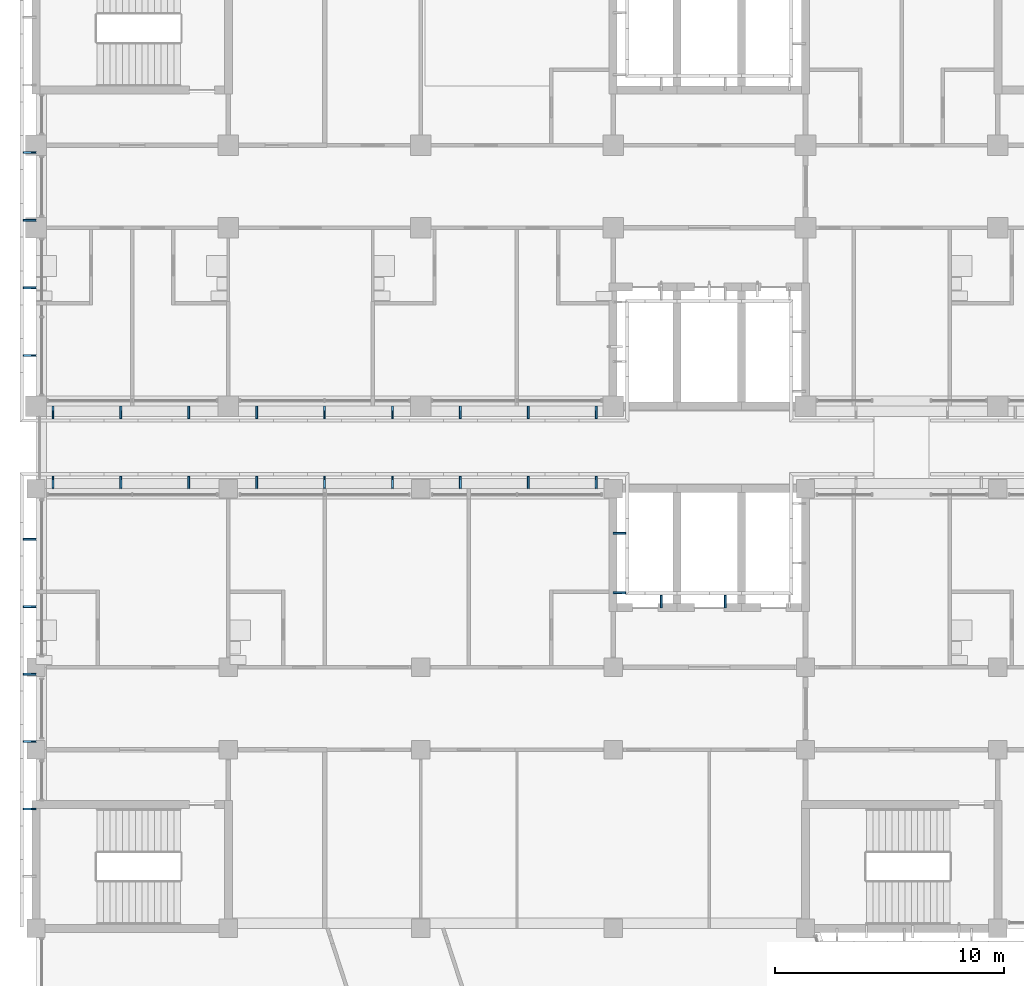
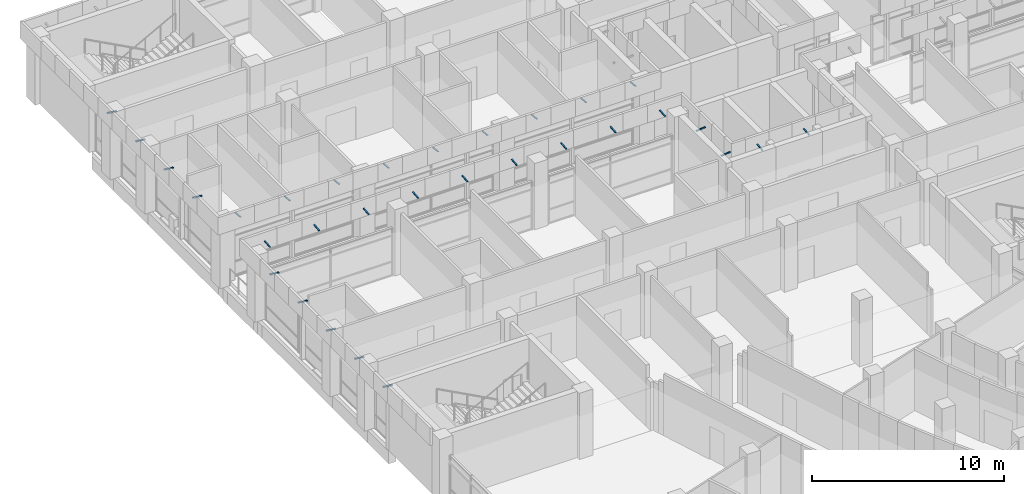
# One storey, part 99 of 137: 31 discrete accessories.
"""IFC4 building model written with IfcOpenShell, lengths in metres."""

from ifc_helpers import new_model, si_unit, direction, frame, origin, origin_2d, place, context, subcontext, project, spatial, rectangle, extrude, material, material_profile, profile_set, type_object, element, save


model = new_model("IFC4")

# Units and contexts
model_context = context("Model", 3, precision=1e-05, world=origin(), true_north=direction((0.0, 1.0)))
body_context = subcontext(model_context, "Body", "Model", "MODEL_VIEW")
ifc_project = project(units=[si_unit("LENGTHUNIT", "METRE"), si_unit("AREAUNIT", "SQUARE_METRE"), si_unit("VOLUMEUNIT", "CUBIC_METRE"), si_unit("PLANEANGLEUNIT", "RADIAN"), si_unit("MASSUNIT", "GRAM", prefix="KILO")], contexts=[model_context])

# Site, building, storey
site_placement = place(None, origin())
site = spatial("IfcSite", under=ifc_project, at=site_placement, CompositionType="ELEMENT")
building_placement = place(site_placement, origin())
building = spatial("IfcBuilding", under=site, at=building_placement, Name="Bougainvillea Quay General Hospital", CompositionType="ELEMENT")
storey_placement = place(building_placement, frame((0.0, 0.0, 16.800048828125)))
storey = spatial("IfcBuildingStorey", under=building, at=storey_placement, Name="L03", CompositionType="ELEMENT", Elevation=16.800048828125)

# Discrete accessories
ifc_material = material(Name="Stainless steel bracket, grade 316", Category="steel")
ifc_material_profile = material_profile(ifc_material, rectangle(XDim=0.080078125, YDim=0.050048828125, at=origin_2d()))
ifc_profile_set = profile_set([ifc_material_profile], Name="Stainless steel bracket, grade 316")
discrete_accessory_type = type_object("IfcDiscreteAccessoryType", Name="Stainless steel stand-off bracket 80x50", PredefinedType="BRACKET", material=ifc_profile_set)
for number, where, z_axis, x_axis, name in (
    (1, (42.0, 151.476806640625, 4.139892578125), (-0.994091793559, 0.0, 0.108542645901), (0.0, -1.0, 0.0), "Fascia bracket e0 171"),
    (2, (42.0, 148.523193359375, 4.139892578125), (-0.994091793559, 0.0, 0.108542645901), (0.0, -1.0, 0.0), "Fascia bracket e0 173"),
    (3, (42.0, 145.5693359375, 4.139892578125), (-0.994091793559, 0.0, 0.108542645901), (0.0, -1.0, 0.0), "Fascia bracket e0 175"),
    (4, (42.0, 142.615478515625, 4.139892578125), (-0.994091793559, 0.0, 0.108542645901), (0.0, -1.0, 0.0), "Fascia bracket e0 177"),
):
    element("IfcDiscreteAccessory", number, at=place(storey_placement, frame(where, z_axis=z_axis, x_axis=x_axis)), inside=storey, type_object=discrete_accessory_type, Name=name, PredefinedType="BRACKET", context=body_context, shape_type="SweptSolid", body=[
        extrude(rectangle(XDim=0.080078125, YDim=0.050048828125, at=origin_2d()), origin(), (0.0, 0.0, 1.0), 0.55322265625),
    ])
for number, where, z_axis, x_axis, name in (
    (5, (42.7412109375, 140.39990234375, 4.139892578125), (0.0, -0.994086591779, 0.108590276011), (1.0, 0.0, 0.0), "Fascia bracket e0 179"),
    (6, (45.705810546875, 140.39990234375, 4.139892578125), (0.0, -0.994086591779, 0.108590276011), (1.0, 0.0, 0.0), "Fascia bracket e0 181"),
    (7, (48.670654296875, 140.39990234375, 4.139892578125), (0.0, -0.994086591779, 0.108590276011), (1.0, 0.0, 0.0), "Fascia bracket e0 183"),
    (8, (51.63525390625, 140.39990234375, 4.139892578125), (0.0, -0.994086591779, 0.108590276011), (1.0, 0.0, 0.0), "Fascia bracket e0 185"),
    (9, (54.60009765625, 140.39990234375, 4.139892578125), (0.0, -0.994086591779, 0.108590276011), (1.0, 0.0, 0.0), "Fascia bracket e0 187"),
    (10, (57.564697265625, 140.39990234375, 4.139892578125), (0.0, -0.994086591779, 0.108590276011), (1.0, 0.0, 0.0), "Fascia bracket e0 189"),
    (11, (60.529296875, 140.39990234375, 4.139892578125), (0.0, -0.994086591779, 0.108590276011), (1.0, 0.0, 0.0), "Fascia bracket e0 191"),
    (12, (63.494140625, 140.39990234375, 4.139892578125), (0.0, -0.994086591779, 0.108590276011), (1.0, 0.0, 0.0), "Fascia bracket e0 193"),
    (13, (66.458740234375, 140.39990234375, 4.139892578125), (0.0, -0.994086591779, 0.108590276011), (1.0, 0.0, 0.0), "Fascia bracket e0 195"),
    (14, (72.10009765625, 131.60009765625, 4.139892578125), (0.0, 0.994086591779, 0.108590276011), (-1.0, 0.0, 0.0), "Fascia bracket e0 9"),
    (15, (69.300048828125, 131.60009765625, 4.139892578125), (0.0, 0.994086591779, 0.108590276011), (-1.0, 0.0, 0.0), "Fascia bracket e0 11"),
):
    element("IfcDiscreteAccessory", number, at=place(storey_placement, frame(where, z_axis=z_axis, x_axis=x_axis)), inside=storey, type_object=discrete_accessory_type, Name=name, PredefinedType="BRACKET", context=body_context, shape_type="SweptSolid", body=[
        extrude(rectangle(XDim=0.080078125, YDim=0.050048828125, at=origin_2d()), origin(), (0.0, 0.0, 1.0), 0.552978515625),
    ])
for number, where, z_axis, x_axis, name in (
    (16, (67.199951171875, 132.25, 4.139892578125), (0.994091793559, 0.0, 0.108542645901), (0.0, 1.0, 0.0), "Fascia bracket e0 13"),
    (17, (67.199951171875, 134.85009765625, 4.139892578125), (0.994091793559, 0.0, 0.108542645901), (0.0, 1.0, 0.0), "Fascia bracket e0 15"),
    (18, (66.458740234375, 136.800048828125, 4.139892578125), (0.0, 0.994091793559, 0.108542645901), (-1.0, 0.0, 0.0), "Fascia bracket e0 17"),
    (19, (63.494140625, 136.800048828125, 4.139892578125), (0.0, 0.994091793559, 0.108542645901), (-1.0, 0.0, 0.0), "Fascia bracket e0 19"),
    (20, (60.529296875, 136.800048828125, 4.139892578125), (0.0, 0.994091793559, 0.108542645901), (-1.0, 0.0, 0.0), "Fascia bracket e0 21"),
    (21, (57.564697265625, 136.800048828125, 4.139892578125), (0.0, 0.994091793559, 0.108542645901), (-1.0, 0.0, 0.0), "Fascia bracket e0 23"),
    (22, (54.60009765625, 136.800048828125, 4.139892578125), (0.0, 0.994091793559, 0.108542645901), (-1.0, 0.0, 0.0), "Fascia bracket e0 25"),
    (23, (51.63525390625, 136.800048828125, 4.139892578125), (0.0, 0.994091793559, 0.108542645901), (-1.0, 0.0, 0.0), "Fascia bracket e0 27"),
    (24, (48.670654296875, 136.800048828125, 4.139892578125), (0.0, 0.994091793559, 0.108542645901), (-1.0, 0.0, 0.0), "Fascia bracket e0 29"),
    (25, (45.705810546875, 136.800048828125, 4.139892578125), (0.0, 0.994091793559, 0.108542645901), (-1.0, 0.0, 0.0), "Fascia bracket e0 31"),
    (26, (42.7412109375, 136.800048828125, 4.139892578125), (0.0, 0.994091793559, 0.108542645901), (-1.0, 0.0, 0.0), "Fascia bracket e0 33"),
    (27, (42.0, 134.591552734375, 4.139892578125), (-0.994091793559, 0.0, 0.108542645901), (0.0, -1.0, 0.0), "Fascia bracket e0 35"),
    (28, (42.0, 131.64697265625, 4.139892578125), (-0.994091793559, 0.0, 0.108542645901), (0.0, -1.0, 0.0), "Fascia bracket e0 37"),
    (29, (42.0, 128.702392578125, 4.139892578125), (-0.994091793559, 0.0, 0.108542645901), (0.0, -1.0, 0.0), "Fascia bracket e0 39"),
    (30, (42.0, 125.7578125, 4.139892578125), (-0.994091793559, 0.0, 0.108542645901), (0.0, -1.0, 0.0), "Fascia bracket e0 41"),
    (31, (42.0, 122.81298828125, 4.139892578125), (-0.994091793559, 0.0, 0.108542645901), (0.0, -1.0, 0.0), "Fascia bracket e0 43"),
):
    element("IfcDiscreteAccessory", number, at=place(storey_placement, frame(where, z_axis=z_axis, x_axis=x_axis)), inside=storey, type_object=discrete_accessory_type, Name=name, PredefinedType="BRACKET", context=body_context, shape_type="SweptSolid", body=[
        extrude(rectangle(XDim=0.080078125, YDim=0.050048828125, at=origin_2d()), origin(), (0.0, 0.0, 1.0), 0.55322265625),
    ])

save(model, "model.ifc")
